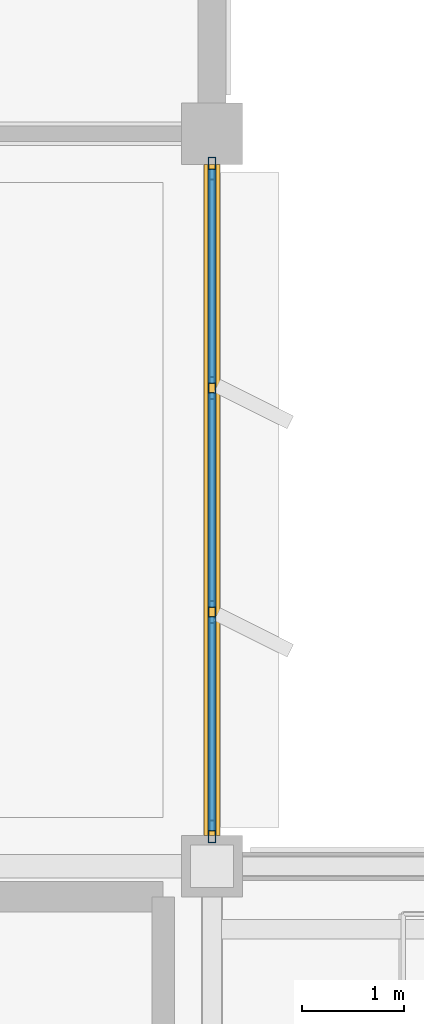
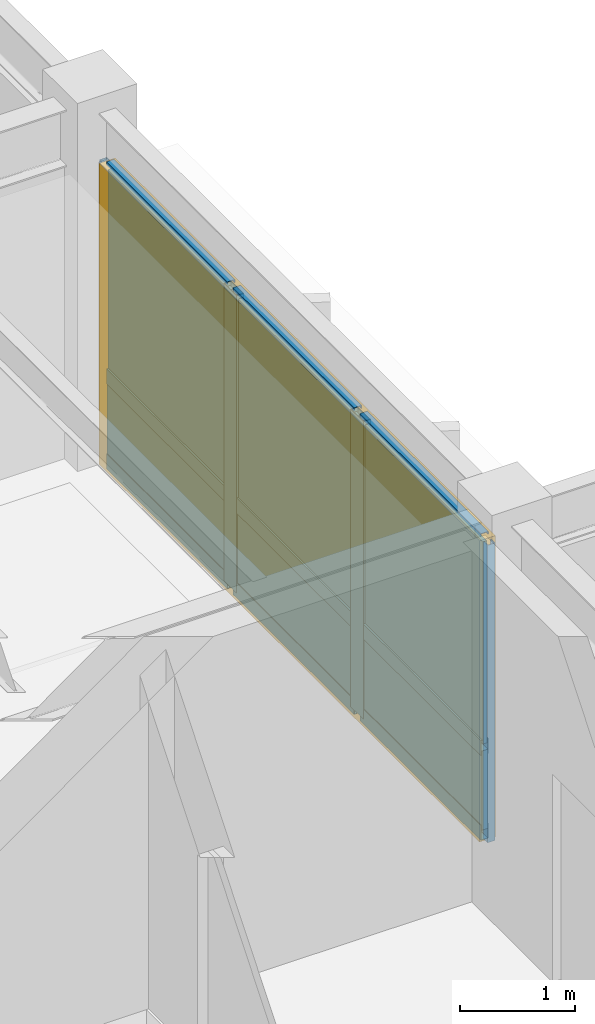
# One storey, part 25 of 35: 13 members, 6 plates, 1 curtain wall.
"""IFC4 building model written with IfcOpenShell, lengths in metres."""

from ifc_helpers import new_model, si_unit, direction, frame, origin, origin_2d, place, context, subcontext, project, spatial, rectangle, hollow_rectangle, extrude, material, layer, layer_set, material_profile, profile_set, type_object, element, aggregate, save


model = new_model("IFC4")

# Units and contexts
model_context = context("Model", 3, precision=1e-05, world=origin(), true_north=direction((0.0, 1.0)))
body_context = subcontext(model_context, "Body", "Model", "MODEL_VIEW")
ifc_project = project(units=[si_unit("LENGTHUNIT", "METRE"), si_unit("AREAUNIT", "SQUARE_METRE"), si_unit("VOLUMEUNIT", "CUBIC_METRE"), si_unit("PLANEANGLEUNIT", "RADIAN"), si_unit("MASSUNIT", "GRAM", prefix="KILO")], contexts=[model_context])

# Member
ifc_material_1 = material(Name="Anodized Aluminium 6063-T6", Category="aluminium")
ifc_material_profile_1 = material_profile(ifc_material_1, hollow_rectangle(XDim=0.074951171875, YDim=0.219970703125, WallThickness=0.0048828125, at=origin_2d()), Name="ALU 75x220x5")
ifc_profile_set_1 = profile_set([ifc_material_profile_1], Name="Anodized Aluminium 6063-T6")
member_type_1 = type_object("IfcMemberType", Name="CWM-75X180", PredefinedType="MULLION", material=ifc_profile_set_1)
site_placement = place(None, origin())
building_placement = place(site_placement, origin())
storey_placement = place(building_placement, frame((0.0, 0.0, 18.0)))
member_1_placement = place(storey_placement, frame((72.0, 100.4599609375, 0.02001953125), z_axis=(0.0, 0.0, 1.0), x_axis=(1.0, 0.0, 0.0)))
member_1 = element("IfcMember", 1, at=member_1_placement, type_object=member_type_1, Name="Curtain wall mullion CW-L05-09-13-E-00", PredefinedType="MULLION", context=body_context, shape_type="SweptSolid", body=[
    extrude(hollow_rectangle(XDim=0.074951171875, YDim=0.219970703125, WallThickness=0.0048828125, at=origin_2d()), origin(), (0.0, 0.0, 1.0), 3.152099609375),
])

member_2_placement = place(storey_placement, frame((72.0, 98.300048828125, 0.02001953125), z_axis=(0.0, 0.0, 1.0), x_axis=(1.0, 0.0, 0.0)))
member_2 = element("IfcMember", 2, at=member_2_placement, type_object=member_type_1, Name="Curtain wall mullion CW-L05-09-13-E-01", PredefinedType="MULLION", context=body_context, shape_type="SweptSolid", body=[
    extrude(hollow_rectangle(XDim=0.074951171875, YDim=0.219970703125, WallThickness=0.0048828125, at=origin_2d()), origin(), (0.0, 0.0, 1.0), 3.152099609375),
])

member_3_placement = place(storey_placement, frame((72.0, 96.10009765625, 0.02001953125), z_axis=(0.0, 0.0, 1.0), x_axis=(1.0, 0.0, 0.0)))
member_3 = element("IfcMember", 3, at=member_3_placement, type_object=member_type_1, Name="Curtain wall mullion CW-L05-09-13-E-02", PredefinedType="MULLION", context=body_context, shape_type="SweptSolid", body=[
    extrude(hollow_rectangle(XDim=0.074951171875, YDim=0.219970703125, WallThickness=0.0048828125, at=origin_2d()), origin(), (0.0, 0.0, 1.0), 3.152099609375),
])

member_4_placement = place(storey_placement, frame((72.0, 93.93994140625, 0.02001953125), z_axis=(0.0, 0.0, 1.0), x_axis=(1.0, 0.0, 0.0)))
member_4 = element("IfcMember", 4, at=member_4_placement, type_object=member_type_1, Name="Curtain wall mullion CW-L05-09-13-E-03", PredefinedType="MULLION", context=body_context, shape_type="SweptSolid", body=[
    extrude(hollow_rectangle(XDim=0.074951171875, YDim=0.219970703125, WallThickness=0.0048828125, at=origin_2d()), origin(), (0.0, 0.0, 1.0), 3.152099609375),
])

ifc_material_profile_2 = material_profile(ifc_material_1, hollow_rectangle(XDim=0.074951171875, YDim=0.159912109375, WallThickness=0.00390625, at=origin_2d()), Name="ALU 75x160x4")
ifc_profile_set_2 = profile_set([ifc_material_profile_2], Name="Anodized Aluminium 6063-T6")
member_type_2 = type_object("IfcMemberType", Name="CWT-75X150", PredefinedType="USERDEFINED", material=ifc_profile_set_2)
member_5_placement = place(storey_placement, frame((72.0, 100.449951171875, 0.050048828125), z_axis=(0.0, -1.0, 0.0), x_axis=(1.0, 0.0, 0.0)))
member_5 = element("IfcMember", 5, at=member_5_placement, type_object=member_type_2, Name="Curtain wall transom CW-L05-09-13-E-1.01", ObjectType="TRANSOM", PredefinedType="USERDEFINED", context=body_context, shape_type="SweptSolid", body=[
    extrude(hollow_rectangle(XDim=0.074951171875, YDim=0.159912109375, WallThickness=0.00390625, at=origin_2d()), origin(), (0.0, 0.0, 1.0), 2.099853515625),
])

member_6_placement = place(storey_placement, frame((72.0, 98.25, 0.050048828125), z_axis=(0.0, -1.0, 0.0), x_axis=(1.0, 0.0, 0.0)))
member_6 = element("IfcMember", 6, at=member_6_placement, type_object=member_type_2, Name="Curtain wall transom CW-L05-09-13-E-1.02", ObjectType="TRANSOM", PredefinedType="USERDEFINED", context=body_context, shape_type="SweptSolid", body=[
    extrude(hollow_rectangle(XDim=0.074951171875, YDim=0.159912109375, WallThickness=0.00390625, at=origin_2d()), origin(), (0.0, 0.0, 1.0), 2.10009765625),
])

member_7_placement = place(storey_placement, frame((72.0, 96.050048828125, 0.050048828125), z_axis=(0.0, -1.0, 0.0), x_axis=(1.0, 0.0, 0.0)))
member_7 = element("IfcMember", 7, at=member_7_placement, type_object=member_type_2, Name="Curtain wall transom CW-L05-09-13-E-1.03", ObjectType="TRANSOM", PredefinedType="USERDEFINED", context=body_context, shape_type="SweptSolid", body=[
    extrude(hollow_rectangle(XDim=0.074951171875, YDim=0.159912109375, WallThickness=0.00390625, at=origin_2d()), origin(), (0.0, 0.0, 1.0), 2.10009765625),
])

member_8_placement = place(storey_placement, frame((72.0, 100.449951171875, 0.949951171875), z_axis=(0.0, -1.0, 0.0), x_axis=(1.0, 0.0, 0.0)))
member_8 = element("IfcMember", 8, at=member_8_placement, type_object=member_type_2, Name="Curtain wall transom CW-L05-09-13-E-2.01", ObjectType="TRANSOM", PredefinedType="USERDEFINED", context=body_context, shape_type="SweptSolid", body=[
    extrude(hollow_rectangle(XDim=0.074951171875, YDim=0.159912109375, WallThickness=0.00390625, at=origin_2d()), origin(), (0.0, 0.0, 1.0), 2.099853515625),
])

member_9_placement = place(storey_placement, frame((72.0, 98.25, 0.949951171875), z_axis=(0.0, -1.0, 0.0), x_axis=(1.0, 0.0, 0.0)))
member_9 = element("IfcMember", 9, at=member_9_placement, type_object=member_type_2, Name="Curtain wall transom CW-L05-09-13-E-2.02", ObjectType="TRANSOM", PredefinedType="USERDEFINED", context=body_context, shape_type="SweptSolid", body=[
    extrude(hollow_rectangle(XDim=0.074951171875, YDim=0.159912109375, WallThickness=0.00390625, at=origin_2d()), origin(), (0.0, 0.0, 1.0), 2.10009765625),
])

member_10_placement = place(storey_placement, frame((72.0, 96.050048828125, 0.949951171875), z_axis=(0.0, -1.0, 0.0), x_axis=(1.0, 0.0, 0.0)))
member_10 = element("IfcMember", 10, at=member_10_placement, type_object=member_type_2, Name="Curtain wall transom CW-L05-09-13-E-2.03", ObjectType="TRANSOM", PredefinedType="USERDEFINED", context=body_context, shape_type="SweptSolid", body=[
    extrude(hollow_rectangle(XDim=0.074951171875, YDim=0.159912109375, WallThickness=0.00390625, at=origin_2d()), origin(), (0.0, 0.0, 1.0), 2.10009765625),
])

member_11_placement = place(storey_placement, frame((72.0, 100.449951171875, 3.14208984375), z_axis=(0.0, -1.0, 0.0), x_axis=(1.0, 0.0, 0.0)))
member_11 = element("IfcMember", 11, at=member_11_placement, type_object=member_type_2, Name="Curtain wall transom CW-L05-09-13-E-3.01", ObjectType="TRANSOM", PredefinedType="USERDEFINED", context=body_context, shape_type="SweptSolid", body=[
    extrude(hollow_rectangle(XDim=0.074951171875, YDim=0.159912109375, WallThickness=0.00390625, at=origin_2d()), origin(), (0.0, 0.0, 1.0), 2.099853515625),
])

member_12_placement = place(storey_placement, frame((72.0, 98.25, 3.14208984375), z_axis=(0.0, -1.0, 0.0), x_axis=(1.0, 0.0, 0.0)))
member_12 = element("IfcMember", 12, at=member_12_placement, type_object=member_type_2, Name="Curtain wall transom CW-L05-09-13-E-3.02", ObjectType="TRANSOM", PredefinedType="USERDEFINED", context=body_context, shape_type="SweptSolid", body=[
    extrude(hollow_rectangle(XDim=0.074951171875, YDim=0.159912109375, WallThickness=0.00390625, at=origin_2d()), origin(), (0.0, 0.0, 1.0), 2.10009765625),
])

member_13_placement = place(storey_placement, frame((72.0, 96.050048828125, 3.14208984375), z_axis=(0.0, -1.0, 0.0), x_axis=(1.0, 0.0, 0.0)))
member_13 = element("IfcMember", 13, at=member_13_placement, type_object=member_type_2, Name="Curtain wall transom CW-L05-09-13-E-3.03", ObjectType="TRANSOM", PredefinedType="USERDEFINED", context=body_context, shape_type="SweptSolid", body=[
    extrude(hollow_rectangle(XDim=0.074951171875, YDim=0.159912109375, WallThickness=0.00390625, at=origin_2d()), origin(), (0.0, 0.0, 1.0), 2.10009765625),
])

# Plate
ifc_material_2 = material(Name="Acoustic Laminated Low-E Glazing", Category="glass")
ifc_layer_1 = layer(ifc_material_2, 0.0439453125)
ifc_layer_set_1 = layer_set([ifc_layer_1], Name="Acoustic Laminated Low-E Glazing")
plate_type_1 = type_object("IfcPlateType", Name="CWP-IGU-44", PredefinedType="CURTAIN_PANEL", material=ifc_layer_set_1)
plate_1_placement = place(storey_placement, frame((72.0, 99.39990234375, 0.989990234375), z_axis=(0.0, 0.0, 1.0), x_axis=(0.0, -1.0, 0.0)))
plate_1 = element("IfcPlate", 14, at=plate_1_placement, type_object=plate_type_1, Name="Curtain wall vision glazing CW-L05-09-13-E-01", PredefinedType="CURTAIN_PANEL", context=body_context, shape_type="SweptSolid", body=[
    extrude(rectangle(XDim=2.110107421875, YDim=0.0400390625, at=origin_2d()), origin(), (0.0, 0.0, 1.0), 2.14208984375),
])

plate_2_placement = place(storey_placement, frame((72.0, 97.199951171875, 0.989990234375), z_axis=(0.0, 0.0, 1.0), x_axis=(0.0, -1.0, 0.0)))
plate_2 = element("IfcPlate", 15, at=plate_2_placement, type_object=plate_type_1, Name="Curtain wall vision glazing CW-L05-09-13-E-02", PredefinedType="CURTAIN_PANEL", context=body_context, shape_type="SweptSolid", body=[
    extrude(rectangle(XDim=2.110107421875, YDim=0.0400390625, at=origin_2d()), origin(), (0.0, 0.0, 1.0), 2.14208984375),
])

plate_3_placement = place(storey_placement, frame((72.0, 95.0, 0.989990234375), z_axis=(0.0, 0.0, 1.0), x_axis=(0.0, -1.0, 0.0)))
plate_3 = element("IfcPlate", 16, at=plate_3_placement, type_object=plate_type_1, Name="Curtain wall vision glazing CW-L05-09-13-E-03", PredefinedType="CURTAIN_PANEL", context=body_context, shape_type="SweptSolid", body=[
    extrude(rectangle(XDim=2.110107421875, YDim=0.0400390625, at=origin_2d()), origin(), (0.0, 0.0, 1.0), 2.14208984375),
])

ifc_material_3 = material(Name="Insulated Stone-Composite Spandrel", Category="masonry")
ifc_layer_2 = layer(ifc_material_3, 0.068115234375)
ifc_layer_set_2 = layer_set([ifc_layer_2], Name="Insulated Stone-Composite Spandrel")
plate_type_2 = type_object("IfcPlateType", Name="CWP-SPN-68", PredefinedType="CURTAIN_PANEL", material=ifc_layer_set_2)
plate_4_placement = place(storey_placement, frame((72.0, 99.39990234375, 0.080078125), z_axis=(0.0, 0.0, 1.0), x_axis=(0.0, -1.0, 0.0)))
plate_4 = element("IfcPlate", 17, at=plate_4_placement, type_object=plate_type_2, Name="Curtain wall spandrel panel CW-L05-09-13-E-01", PredefinedType="CURTAIN_PANEL", context=body_context, shape_type="SweptSolid", body=[
    extrude(rectangle(XDim=2.110107421875, YDim=0.06005859375, at=origin_2d()), origin(), (0.0, 0.0, 1.0), 0.840087890625),
])

plate_5_placement = place(storey_placement, frame((72.0, 97.199951171875, 0.080078125), z_axis=(0.0, 0.0, 1.0), x_axis=(0.0, -1.0, 0.0)))
plate_5 = element("IfcPlate", 18, at=plate_5_placement, type_object=plate_type_2, Name="Curtain wall spandrel panel CW-L05-09-13-E-02", PredefinedType="CURTAIN_PANEL", context=body_context, shape_type="SweptSolid", body=[
    extrude(rectangle(XDim=2.110107421875, YDim=0.06005859375, at=origin_2d()), origin(), (0.0, 0.0, 1.0), 0.840087890625),
])

plate_6_placement = place(storey_placement, frame((72.0, 95.0, 0.080078125), z_axis=(0.0, 0.0, 1.0), x_axis=(0.0, -1.0, 0.0)))
plate_6 = element("IfcPlate", 19, at=plate_6_placement, type_object=plate_type_2, Name="Curtain wall spandrel panel CW-L05-09-13-E-03", PredefinedType="CURTAIN_PANEL", context=body_context, shape_type="SweptSolid", body=[
    extrude(rectangle(XDim=2.110107421875, YDim=0.06005859375, at=origin_2d()), origin(), (0.0, 0.0, 1.0), 0.840087890625),
])

# Site, building, storey
site = spatial("IfcSite", under=ifc_project, at=site_placement, CompositionType="ELEMENT")
building = spatial("IfcBuilding", under=site, at=building_placement, Name="Sillqori Civic Hall", CompositionType="ELEMENT")
storey = spatial("IfcBuildingStorey", under=building, at=storey_placement, Name="L05", CompositionType="ELEMENT", Elevation=18.0)

# Curtain wall
ifc_material_4 = material(Name="Anodized Aluminium Curtain Wall System", Category="aluminium")
curtain_wall_type = type_object("IfcCurtainWallType", Name="CW-AD-370", PredefinedType="NOTDEFINED", material=ifc_material_4)
curtain_wall_placement = place(storey_placement, frame((72.0, 97.199951171875, 0.0), z_axis=(0.0, 0.0, 1.0), x_axis=(0.0, -1.0, 0.0)))
curtain_wall = element("IfcCurtainWall", 20, at=curtain_wall_placement, inside=storey, type_object=curtain_wall_type, Name="L05 unitised curtain wall CW-L05-09-13-E", PredefinedType="NOTDEFINED", context=body_context, shape_type="SweptSolid", body=[
    extrude(rectangle(XDim=6.60009765625, YDim=0.159912109375, at=origin_2d()), origin(), (0.0, 0.0, 1.0), 3.19189453125),
])

aggregate(curtain_wall, [member_1, member_2, member_3, member_4, member_5, member_6, member_7, member_8, member_9, member_10, member_11, member_12, member_13, plate_4, plate_1, plate_5, plate_2, plate_6, plate_3])

save(model, "model.ifc")
